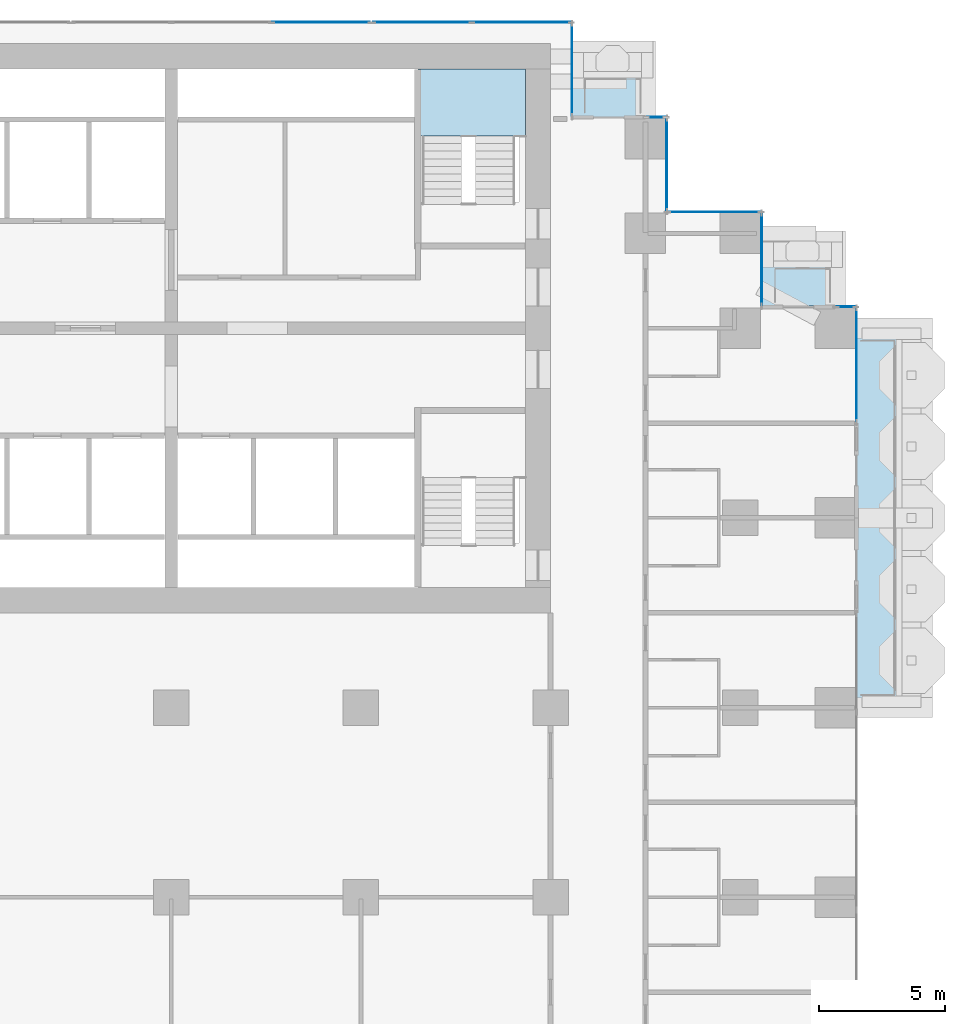
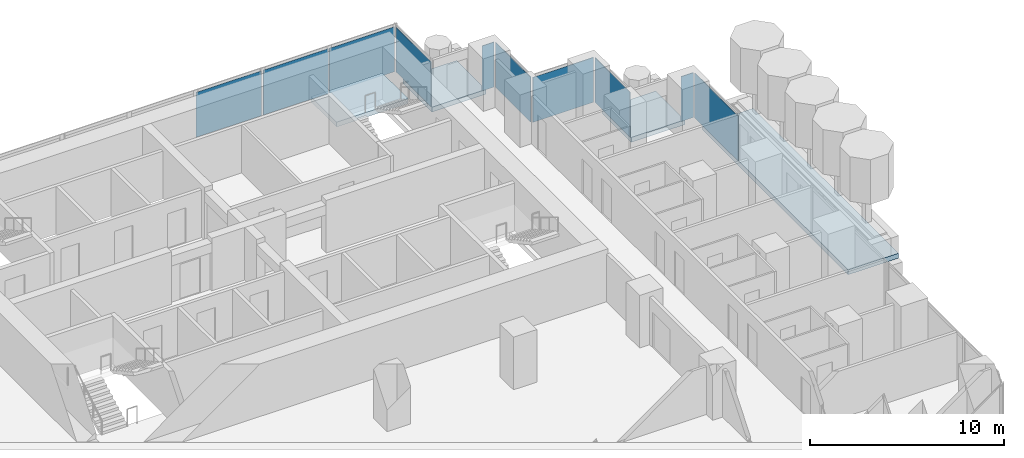
# One storey, part 9 of 19: 10 plates, 4 slabs, 10 elements without a shape of their own.
"""IFC4 building model written with IfcOpenShell, lengths in metres."""

from ifc_helpers import new_model, si_unit, direction, frame, origin, origin_2d, place, context, subcontext, project, spatial, polyline, rectangle, outline, extrude, material, layer, layer_set, type_object, element, aggregate, save


model = new_model("IFC4")

# Units and contexts
model_context = context("Model", 3, precision=1e-05, world=origin(), true_north=direction((0.0, 1.0)))
body_context = subcontext(model_context, "Body", "Model", "MODEL_VIEW")
ifc_project = project(units=[si_unit("LENGTHUNIT", "METRE"), si_unit("AREAUNIT", "SQUARE_METRE"), si_unit("VOLUMEUNIT", "CUBIC_METRE"), si_unit("PLANEANGLEUNIT", "RADIAN"), si_unit("MASSUNIT", "GRAM", prefix="KILO")], contexts=[model_context])

# Site, building, storey
site_placement = place(None, origin())
site = spatial("IfcSite", under=ifc_project, at=site_placement, CompositionType="ELEMENT")
building_placement = place(site_placement, origin())
building = spatial("IfcBuilding", under=site, at=building_placement, Name="Pilkhan Gate Tower", CompositionType="ELEMENT")
storey_placement = place(building_placement, frame((0.0, 0.0, 39.5)))
storey = spatial("IfcBuildingStorey", under=building, at=storey_placement, Name="L06", CompositionType="ELEMENT", Elevation=39.5)

# Slabs
ifc_material_1 = material(Name="Concrete C60/75", Category="concrete")
ifc_layer_1 = layer(ifc_material_1, 0.300048828125)
ifc_layer_set_1 = layer_set([ifc_layer_1], Name="Balcony tray slab TR300")
slab_type_1 = type_object("IfcSlabType", Name="Balcony tray slab TR300", PredefinedType="FLOOR", material=ifc_layer_set_1)
slab_1_placement = place(storey_placement, frame((0.0, 0.0, -0.300048828125)))
element("IfcSlab", 1, at=slab_1_placement, inside=storey, type_object=slab_type_1, Name="Balcony tray L06 E", PredefinedType="FLOOR", context=body_context, shape_type="SweptSolid", body=[
    extrude(outline(polyline([(105.10009765625, 67.5), (105.10009765625, 82.5), (102.10009765625, 82.5), (102.10009765625, 67.5), (105.10009765625, 67.5)])), origin(), (0.0, 0.0, 1.0), 0.300048828125),
])
slab_2_placement = place(storey_placement, frame((0.0, 0.0, -0.300048828125)))
element("IfcSlab", 2, at=slab_2_placement, inside=storey, type_object=slab_type_1, Name="Balcony tray L06 N", PredefinedType="FLOOR", context=body_context, shape_type="SweptSolid", body=[
    extrude(outline(polyline([(94.050048828125, 90.85009765625), (94.050048828125, 93.85009765625), (90.85009765625, 93.85009765625), (90.85009765625, 90.85009765625), (94.050048828125, 90.85009765625)])), origin(), (0.0, 0.0, 1.0), 0.300048828125),
])
slab_3_placement = place(storey_placement, frame((0.0, 0.0, -0.300048828125)))
element("IfcSlab", 3, at=slab_3_placement, inside=storey, type_object=slab_type_1, Name="Balcony tray L06 N", PredefinedType="FLOOR", context=body_context, shape_type="SweptSolid", body=[
    extrude(outline(polyline([(101.550048828125, 83.3701171875), (101.550048828125, 86.35009765625), (98.3701171875, 86.35009765625), (98.3701171875, 83.3701171875), (101.550048828125, 83.3701171875)])), origin(), (0.0, 0.0, 1.0), 0.300048828125),
])

# Curtain wall, plate
ifc_material_2 = material(Name="Pale anodised aluminium, clear low-iron double glazing", Category="aluminium")
curtain_wall_type = type_object("IfcCurtainWallType", Name="Hotel unitised curtain wall CW-H", PredefinedType="USERDEFINED", material=ifc_material_2)
curtain_wall_1_placement = place(storey_placement, origin())
curtain_wall_1 = element("IfcCurtainWall", 4, at=curtain_wall_1_placement, inside=storey, type_object=curtain_wall_type, Name="Hotel unitised curtain wall CW-H L06 E", ObjectType="UNITISED CURTAIN WALL", PredefinedType="USERDEFINED")
ifc_material_3 = material(Name="Clear low-iron double glazing", Category="glass")
ifc_layer_2 = layer(ifc_material_3, 0.035888671875)
ifc_layer_set_2 = layer_set([ifc_layer_2], Name="Glass panel CW-H 36")
plate_type = type_object("IfcPlateType", Name="Glass panel CW-H 36", PredefinedType="CURTAIN_PANEL", material=ifc_layer_set_2)
plate_1_placement = place(storey_placement, frame((102.094970703125, 81.047607421875, 0.0), z_axis=(0.0, 0.0, 1.0), x_axis=(0.0, 1.0, 0.0)))
plate_1 = element("IfcPlate", 5, at=plate_1_placement, type_object=plate_type, Name="CW-H panel 1", PredefinedType="CURTAIN_PANEL", context=body_context, shape_type="SweptSolid", body=[
    extrude(rectangle(XDim=4.465087890625, YDim=0.035888671875, at=origin_2d()), origin(), (0.0, 0.0, 1.0), 2.820068359375),
])
aggregate(curtain_wall_1, [plate_1])

curtain_wall_2_placement = place(storey_placement, origin())
curtain_wall_2 = element("IfcCurtainWall", 6, at=curtain_wall_2_placement, inside=storey, type_object=curtain_wall_type, Name="Hotel unitised curtain wall CW-H L06 N", ObjectType="UNITISED CURTAIN WALL", PredefinedType="USERDEFINED")
plate_2_placement = place(storey_placement, frame((101.672607421875, 83.344970703125, 0.0), z_axis=(0.0, 0.0, 1.0), x_axis=(1.0, 0.0, 0.0)))
plate_2 = element("IfcPlate", 7, at=plate_2_placement, type_object=plate_type, Name="CW-H panel 1", PredefinedType="CURTAIN_PANEL", context=body_context, shape_type="SweptSolid", body=[
    extrude(rectangle(XDim=0.715087890625, YDim=0.035888671875, at=origin_2d()), origin(), (0.0, 0.0, 1.0), 2.820068359375),
])
aggregate(curtain_wall_2, [plate_2])

curtain_wall_3_placement = place(storey_placement, origin())
curtain_wall_3 = element("IfcCurtainWall", 8, at=curtain_wall_3_placement, inside=storey, type_object=curtain_wall_type, Name="Hotel unitised curtain wall CW-H L06 E", ObjectType="UNITISED CURTAIN WALL", PredefinedType="USERDEFINED")
plate_3_placement = place(storey_placement, frame((98.344970703125, 85.219970703125, 0.0), z_axis=(0.0, 0.0, 1.0), x_axis=(0.0, 1.0, 0.0)))
plate_3 = element("IfcPlate", 9, at=plate_3_placement, type_object=plate_type, Name="CW-H panel 1", PredefinedType="CURTAIN_PANEL", context=body_context, shape_type="SweptSolid", body=[
    extrude(rectangle(XDim=3.6201171875, YDim=0.035888671875, at=origin_2d()), origin(), (0.0, 0.0, 1.0), 2.820068359375),
])
aggregate(curtain_wall_3, [plate_3])

curtain_wall_4_placement = place(storey_placement, origin())
curtain_wall_4 = element("IfcCurtainWall", 10, at=curtain_wall_4_placement, inside=storey, type_object=curtain_wall_type, Name="Hotel unitised curtain wall CW-H L06 N", ObjectType="UNITISED CURTAIN WALL", PredefinedType="USERDEFINED")
plate_4_placement = place(storey_placement, frame((96.469970703125, 87.094970703125, 0.0), z_axis=(0.0, 0.0, 1.0), x_axis=(1.0, 0.0, 0.0)))
plate_4 = element("IfcPlate", 11, at=plate_4_placement, type_object=plate_type, Name="CW-H panel 1", PredefinedType="CURTAIN_PANEL", context=body_context, shape_type="SweptSolid", body=[
    extrude(rectangle(XDim=3.6201171875, YDim=0.035888671875, at=origin_2d()), origin(), (0.0, 0.0, 1.0), 2.820068359375),
])
aggregate(curtain_wall_4, [plate_4])

curtain_wall_5_placement = place(storey_placement, origin())
curtain_wall_5 = element("IfcCurtainWall", 12, at=curtain_wall_5_placement, inside=storey, type_object=curtain_wall_type, Name="Hotel unitised curtain wall CW-H L06 E", ObjectType="UNITISED CURTAIN WALL", PredefinedType="USERDEFINED")
plate_5_placement = place(storey_placement, frame((94.594970703125, 88.969970703125, 0.0), z_axis=(0.0, 0.0, 1.0), x_axis=(0.0, 1.0, 0.0)))
plate_5 = element("IfcPlate", 13, at=plate_5_placement, type_object=plate_type, Name="CW-H panel 1", PredefinedType="CURTAIN_PANEL", context=body_context, shape_type="SweptSolid", body=[
    extrude(rectangle(XDim=3.6201171875, YDim=0.035888671875, at=origin_2d()), origin(), (0.0, 0.0, 1.0), 2.820068359375),
])
aggregate(curtain_wall_5, [plate_5])

curtain_wall_6_placement = place(storey_placement, origin())
curtain_wall_6 = element("IfcCurtainWall", 14, at=curtain_wall_6_placement, inside=storey, type_object=curtain_wall_type, Name="Hotel unitised curtain wall CW-H L06 N", ObjectType="UNITISED CURTAIN WALL", PredefinedType="USERDEFINED")
plate_6_placement = place(storey_placement, frame((94.172607421875, 90.844970703125, 0.0), z_axis=(0.0, 0.0, 1.0), x_axis=(1.0, 0.0, 0.0)))
plate_6 = element("IfcPlate", 15, at=plate_6_placement, type_object=plate_type, Name="CW-H panel 1", PredefinedType="CURTAIN_PANEL", context=body_context, shape_type="SweptSolid", body=[
    extrude(rectangle(XDim=0.715087890625, YDim=0.035888671875, at=origin_2d()), origin(), (0.0, 0.0, 1.0), 2.820068359375),
])
aggregate(curtain_wall_6, [plate_6])

curtain_wall_7_placement = place(storey_placement, origin())
curtain_wall_7 = element("IfcCurtainWall", 16, at=curtain_wall_7_placement, inside=storey, type_object=curtain_wall_type, Name="Hotel unitised curtain wall CW-H L06 E", ObjectType="UNITISED CURTAIN WALL", PredefinedType="USERDEFINED")
plate_7_placement = place(storey_placement, frame((90.844970703125, 92.719970703125, 0.0), z_axis=(0.0, 0.0, 1.0), x_axis=(0.0, 1.0, 0.0)))
plate_7 = element("IfcPlate", 17, at=plate_7_placement, type_object=plate_type, Name="CW-H panel 1", PredefinedType="CURTAIN_PANEL", context=body_context, shape_type="SweptSolid", body=[
    extrude(rectangle(XDim=3.6201171875, YDim=0.035888671875, at=origin_2d()), origin(), (0.0, 0.0, 1.0), 2.820068359375),
])
aggregate(curtain_wall_7, [plate_7])

curtain_wall_8_placement = place(storey_placement, origin())
curtain_wall_8 = element("IfcCurtainWall", 18, at=curtain_wall_8_placement, inside=storey, type_object=curtain_wall_type, Name="Hotel unitised curtain wall CW-H L06 N", ObjectType="UNITISED CURTAIN WALL", PredefinedType="USERDEFINED")
plate_8_placement = place(storey_placement, frame((80.925537109375, 94.594970703125, 0.0), z_axis=(0.0, 0.0, 1.0), x_axis=(1.0, 0.0, 0.0)))
plate_8 = element("IfcPlate", 19, at=plate_8_placement, type_object=plate_type, Name="CW-H panel 3", PredefinedType="CURTAIN_PANEL", context=body_context, shape_type="SweptSolid", body=[
    extrude(rectangle(XDim=3.86376953125, YDim=0.035888671875, at=origin_2d()), origin(), (0.0, 0.0, 1.0), 2.820068359375),
])
aggregate(curtain_wall_8, [plate_8])

# Curtain wall, plates
curtain_wall_9_placement = place(storey_placement, origin())
curtain_wall_9 = element("IfcCurtainWall", 20, at=curtain_wall_9_placement, inside=storey, type_object=curtain_wall_type, Name="Hotel unitised curtain wall CW-H L06 N", ObjectType="UNITISED CURTAIN WALL", PredefinedType="USERDEFINED")
plate_9_placement = place(storey_placement, frame((84.91943359375, 94.594970703125, 0.0), z_axis=(0.0, 0.0, 1.0), x_axis=(1.0, 0.0, 0.0)))
plate_9 = element("IfcPlate", 21, at=plate_9_placement, type_object=plate_type, Name="CW-H panel 1", PredefinedType="CURTAIN_PANEL", context=body_context, shape_type="SweptSolid", body=[
    extrude(rectangle(XDim=3.86376953125, YDim=0.035888671875, at=origin_2d()), origin(), (0.0, 0.0, 1.0), 2.820068359375),
])
plate_10_placement = place(storey_placement, frame((88.84814453125, 94.594970703125, 0.0), z_axis=(0.0, 0.0, 1.0), x_axis=(1.0, 0.0, 0.0)))
plate_10 = element("IfcPlate", 22, at=plate_10_placement, type_object=plate_type, Name="CW-H panel 2", PredefinedType="CURTAIN_PANEL", context=body_context, shape_type="SweptSolid", body=[
    extrude(rectangle(XDim=3.86376953125, YDim=0.035888671875, at=origin_2d()), origin(), (0.0, 0.0, 1.0), 2.820068359375),
])
aggregate(curtain_wall_9, [plate_9, plate_10])

# Stair, slab
ifc_material_4 = material(Name="Concrete C40/50 precast", Category="concrete")
stair_type = type_object("IfcStairType", Name="Stair ST4 165x300", PredefinedType="HALF_TURN_STAIR", material=ifc_material_4)
stair_placement = place(storey_placement, origin())
stair = element("IfcStair", 23, at=stair_placement, inside=storey, type_object=stair_type, Name="Stair ST4 L06", PredefinedType="HALF_TURN_STAIR")
ifc_material_5 = material(Name="Concrete C40/50", Category="concrete")
ifc_layer_3 = layer(ifc_material_5, 0.199951171875)
ifc_layer_set_3 = layer_set([ifc_layer_3], Name="Stair landing SL200")
slab_type_2 = type_object("IfcSlabType", Name="Stair landing SL200", PredefinedType="LANDING", material=ifc_layer_set_3)
slab_4_placement = place(storey_placement, frame((0.0, 0.0, 1.35009765625)))
slab_4 = element("IfcSlab", 24, at=slab_4_placement, type_object=slab_type_2, Name="ST4 landing 1", PredefinedType="LANDING", context=body_context, shape_type="SweptSolid", body=[
    extrude(outline(polyline([(89.0, 90.10009765625), (89.0, 92.75), (84.75, 92.75), (84.75, 90.10009765625), (89.0, 90.10009765625)])), origin(), (0.0, 0.0, 1.0), 0.2998046875),
])
aggregate(stair, [slab_4])

save(model, "model.ifc")
